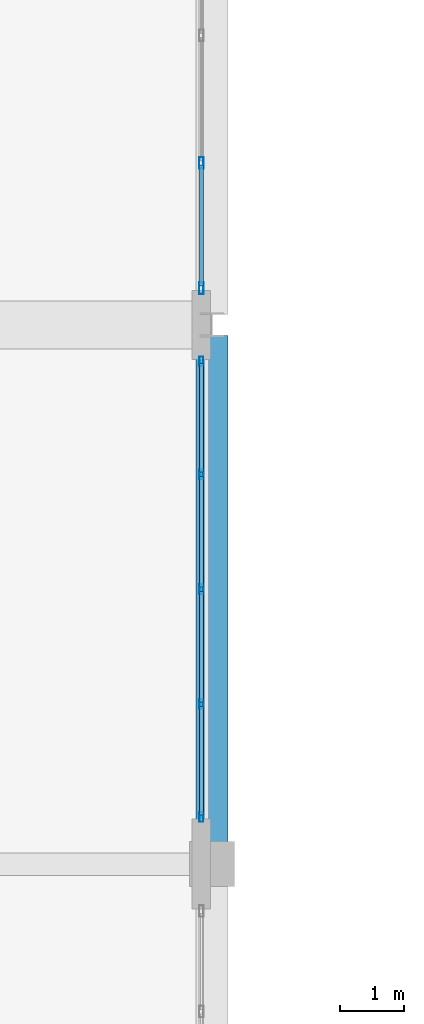
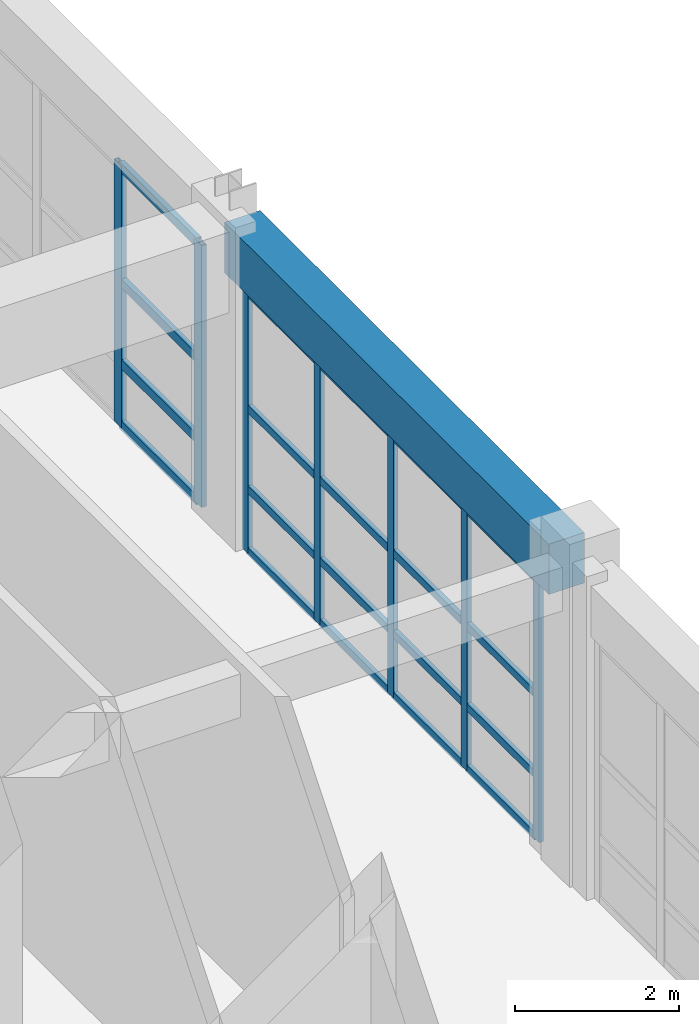
# One storey, part 23 of 78: 27 members, 1 beam, 2 elements without a shape of their own.
"""IFC4 building model written with IfcOpenShell, lengths in metres."""

import ifcopenshell
import ifcopenshell.guid

model = None  # the IFC model being written
_history = None  # IfcOwnerHistory: only IFC2X3 demands one
_inside = {}  # id of a spatial element -> (the spatial element, [elements in it])
_under = {}  # id of a project, library or spatial element -> (it, [spatial elements below it])
_declared = {}  # id of a project -> (the project, [libraries it declares])
_typed = {}  # id of a type object -> (the type object, [elements of that type])
_made_of = {}  # id of a material, layer set ... -> (it, [elements and type objects made of it])


def new_model(schema):
    """Start an empty IFC model of exactly this schema.

    Asked for "IFC4X3", IfcOpenShell would pick the latest addendum, in which some entities
    have other attributes; the version numbers below select the first issue.
    IFC2X3 requires an IfcOwnerHistory on every rooted entity: one is made here for all.
    """
    global model, _history
    if schema == "IFC4X3":
        model = ifcopenshell.file(schema_version=(4, 3, 0, 0))
    else:
        model = ifcopenshell.file(schema=schema)
    _inside.clear()
    _under.clear()
    _declared.clear()
    _typed.clear()
    _made_of.clear()
    _history = None
    if model.schema == "IFC2X3":
        org = make("IfcOrganization", Name="unknown")
        user = make(
            "IfcPersonAndOrganization",
            ThePerson=make("IfcPerson", FamilyName="unknown"),
            TheOrganization=org,
        )
        app = make(
            "IfcApplication",
            ApplicationDeveloper=org,
            Version="unknown",
            ApplicationFullName="unknown",
            ApplicationIdentifier="unknown",
        )
        _history = make(
            "IfcOwnerHistory",
            OwningUser=user,
            OwningApplication=app,
            ChangeAction="ADDED",
            CreationDate=0,
        )
    return model


def make(cls, **values):
    """One entity of the class cls with the attributes given. An attribute that is None is left unset."""
    return model.create_entity(
        cls, **{name: value for name, value in values.items() if value is not None}
    )


def rooted(cls, **values):
    """An entity with a GlobalId (a new one), such as an element, a storey or a relation."""
    return make(cls, GlobalId=ifcopenshell.guid.new(), OwnerHistory=_history, **values)


def si_unit(unit_type, name, prefix=None):
    """IfcSIUnit, for example si_unit("LENGTHUNIT", "METRE", prefix="MILLI")."""
    return make("IfcSIUnit", UnitType=unit_type, Prefix=prefix, Name=name)


def assignment(units):
    """IfcUnitAssignment: the units of a project."""
    return None if units is None else make("IfcUnitAssignment", Units=units)


def point(xyz):
    """IfcCartesianPoint."""
    return None if xyz is None else make("IfcCartesianPoint", Coordinates=xyz)


def direction(xyz):
    """IfcDirection."""
    return None if xyz is None else make("IfcDirection", DirectionRatios=xyz)


def frame(location, z_axis=None, x_axis=None):
    """IfcAxis2Placement3D, a coordinate frame: its origin and axes. An axis left out is left unset."""
    return make(
        "IfcAxis2Placement3D",
        Location=point(location),
        Axis=direction(z_axis),
        RefDirection=direction(x_axis),
    )


def frame_2d(location, x_axis=None):
    """IfcAxis2Placement2D, a coordinate frame in the plane: its origin and x axis."""
    return make(
        "IfcAxis2Placement2D", Location=point(location), RefDirection=direction(x_axis)
    )


def origin():
    """The frame at (0, 0, 0) with its axes left unset."""
    return frame((0.0, 0.0, 0.0))


def origin_2d():
    """The frame at (0, 0) in the plane with its x axis left unset."""
    return frame_2d((0.0, 0.0))


def place(relative_to, where):
    """IfcLocalPlacement: puts the frame where relative to a parent placement (None: the world)."""
    return make(
        "IfcLocalPlacement", PlacementRelTo=relative_to, RelativePlacement=where
    )


def context(
    kind, dimensions, precision=None, world=None, true_north=None, identifier=None
):
    """IfcGeometricRepresentationContext, for example the 3D "Model" context."""
    return make(
        "IfcGeometricRepresentationContext",
        ContextIdentifier=identifier,
        ContextType=kind,
        CoordinateSpaceDimension=dimensions,
        Precision=precision,
        WorldCoordinateSystem=world,
        TrueNorth=true_north,
    )


def subcontext(parent, identifier, kind, view, scale=None):
    """IfcGeometricRepresentationSubContext, for example "Body" below "Model"."""
    return make(
        "IfcGeometricRepresentationSubContext",
        ContextIdentifier=identifier,
        ContextType=kind,
        ParentContext=parent,
        TargetScale=scale,
        TargetView=view,
    )


def project(units=None, contexts=None):
    """IfcProject with its units and contexts."""
    return rooted(
        "IfcProject",
        Name="project",
        RepresentationContexts=contexts,
        UnitsInContext=assignment(units),
    )


def spatial(cls, under=None, at=None, **own):
    """A site, building, storey or space (cls), placed at a placement, below another one or the project."""
    s = rooted(cls, ObjectPlacement=at, **own)
    if under is not None:
        _under.setdefault(under.id(), (under, []))[1].append(s)
    return s


def profile(cls, at=None, kind="AREA", **sizes):
    """A parametric profile (cls). Its sizes go by their IFC names, for example OverallWidth=200.0."""
    return make(cls, ProfileType=kind, Position=at, **sizes)


def rectangle(**sizes):
    """IfcRectangleProfileDef."""
    return profile("IfcRectangleProfileDef", **sizes)


def hollow_rectangle(**sizes):
    """IfcRectangleHollowProfileDef."""
    return profile("IfcRectangleHollowProfileDef", **sizes)


def extrude(swept, where, along, depth):
    """IfcExtrudedAreaSolid: the profile swept, set in the frame where, extruded along a direction by depth."""
    return make(
        "IfcExtrudedAreaSolid",
        SweptArea=swept,
        Position=where,
        ExtrudedDirection=direction(along),
        Depth=depth,
    )


def shape(context_of_items, identifier, shape_type, items):
    """IfcShapeRepresentation: the items that make up one representation, for example the "Body"."""
    return make(
        "IfcShapeRepresentation",
        ContextOfItems=context_of_items,
        RepresentationIdentifier=identifier,
        RepresentationType=shape_type,
        Items=items,
    )


def material(Name=None, Category=None):
    """IfcMaterial."""
    return make("IfcMaterial", Name=Name, Category=Category)


def layer(
    of_material, thickness, ventilated=None, Name=None, Category=None, Priority=None
):
    """IfcMaterialLayer: one layer of a wall or slab, of a material (None: an air gap)."""
    return make(
        "IfcMaterialLayer",
        Material=of_material,
        LayerThickness=thickness,
        IsVentilated=ventilated,
        Name=Name,
        Category=Category,
        Priority=Priority,
    )


def layer_set(layers, Name=None):
    """IfcMaterialLayerSet."""
    return make("IfcMaterialLayerSet", MaterialLayers=layers, LayerSetName=Name)


def material_profile(
    of_material, cross_section, Name=None, Category=None, Priority=None
):
    """IfcMaterialProfile: a cross section and its material."""
    return make(
        "IfcMaterialProfile",
        Name=Name,
        Material=of_material,
        Profile=cross_section,
        Priority=Priority,
        Category=Category,
    )


def profile_set(profiles, Name=None, composite=None):
    """IfcMaterialProfileSet."""
    return make(
        "IfcMaterialProfileSet",
        Name=Name,
        MaterialProfiles=profiles,
        CompositeProfile=composite,
    )


def made_of(thing, what):
    """Note that an element or type object is made of a material, layer set ...; save() writes the relation."""
    if what is not None:
        _made_of.setdefault(what.id(), (what, []))[1].append(thing)
    return thing


def type_object(cls, material=None, **own):
    """A type object (cls), such as IfcWallType, which elements share."""
    return made_of(rooted(cls, **own), material)


def element(
    cls,
    number,
    at=None,
    inside=None,
    cuts=None,
    type_object=None,
    material=None,
    context=None,
    identifier="Body",
    shape_type=None,
    held_by="IfcProductDefinitionShape",
    body=None,
    shapes=None,
    **own,
):
    """One element of the class cls, such as IfcWall. Its Tag is "e" and its number.

    at: its placement. inside: the storey or other place that contains it. cuts: it is an
    opening in that element (IfcRelVoidsElement). A single representation is given by context,
    identifier, shape_type and body (its items); several are given by shapes. held_by: the class
    of the entity that holds the representations. save() writes the other relations.
    """
    e = rooted(cls, Tag="e%d" % number, ObjectPlacement=at, **own)
    if body is not None:
        shapes = [shape(context, identifier, shape_type, body)]
    if shapes is not None:
        e.Representation = make(held_by, Representations=shapes)
    if inside is not None:
        _inside.setdefault(inside.id(), (inside, []))[1].append(e)
    if cuts is not None:
        rooted(
            "IfcRelVoidsElement", RelatingBuildingElement=cuts, RelatedOpeningElement=e
        )
    if type_object is not None:
        _typed.setdefault(type_object.id(), (type_object, []))[1].append(e)
    return made_of(e, material)


def aggregate(whole, parts):
    """IfcRelAggregates: a whole, such as a stair, and the parts it consists of."""
    return rooted("IfcRelAggregates", RelatingObject=whole, RelatedObjects=parts)


def save(model, path):
    """Write the relations noted so far, then the file.

    IfcRelAggregates (storeys below a building ...), IfcRelContainedInSpatialStructure (elements
    in a storey), IfcRelDefinesByType, IfcRelAssociatesMaterial and IfcRelDeclares: one each for
    every whole, place, type object, material and project.
    """
    for whole, parts in _under.values():
        aggregate(whole, parts)
    for where, things in _inside.values():
        rooted(
            "IfcRelContainedInSpatialStructure",
            RelatedElements=things,
            RelatingStructure=where,
        )
    for kind, things in _typed.values():
        rooted("IfcRelDefinesByType", RelatedObjects=things, RelatingType=kind)
    for what, things in _made_of.values():
        rooted("IfcRelAssociatesMaterial", RelatedObjects=things, RelatingMaterial=what)
    for by, libraries in _declared.values():
        rooted("IfcRelDeclares", RelatingContext=by, RelatedDefinitions=libraries)
    model.write(path)


model = new_model("IFC4")

# Units and contexts
model_context = context("Model", 3, precision=1e-05, world=origin(), true_north=direction((0.0, 1.0)))
body_context = subcontext(model_context, "Body", "Model", "MODEL_VIEW")
ifc_project = project(units=[si_unit("LENGTHUNIT", "METRE"), si_unit("AREAUNIT", "SQUARE_METRE"), si_unit("VOLUMEUNIT", "CUBIC_METRE"), si_unit("PLANEANGLEUNIT", "RADIAN"), si_unit("MASSUNIT", "GRAM", prefix="KILO")], contexts=[model_context])

# Site, building, storey
site_placement = place(None, origin())
site = spatial("IfcSite", under=ifc_project, at=site_placement, CompositionType="ELEMENT")
building_placement = place(site_placement, origin())
building = spatial("IfcBuilding", under=site, at=building_placement, Name="Quendrovan Civic Courthouse", CompositionType="ELEMENT")
storey_placement = place(building_placement, frame((0.0, 0.0, 10.199951171875)))
storey = spatial("IfcBuildingStorey", under=building, at=storey_placement, Name="L03", CompositionType="ELEMENT", Elevation=10.199951171875)

# Beam
ifc_material_1 = material(Name="Concrete C40/50", Category="concrete")
ifc_material_profile_1 = material_profile(ifc_material_1, rectangle(XDim=0.5, YDim=0.75, at=origin_2d()), Name="RC-BM-500x750")
ifc_profile_set_1 = profile_set([ifc_material_profile_1], Name="Concrete C40/50")
beam_type = type_object("IfcBeamType", Name="BM-RC750", PredefinedType="SPANDREL", material=ifc_profile_set_1)
beam_placement = place(storey_placement, frame((16.800048828125, 65.1298828125, 4.28515625), z_axis=(0.0, 1.0, 0.0), x_axis=(-1.0, 0.0, 0.0)))
element("IfcBeam", 1, at=beam_placement, inside=storey, type_object=beam_type, Name="L03 Girder Y0816", PredefinedType="SPANDREL", context=body_context, shape_type="SweptSolid", body=[
    extrude(rectangle(XDim=0.5, YDim=0.75, at=origin_2d()), origin(), (0.0, 0.0, 1.0), 7.904052734375),
])

# Curtain wall, members
ifc_material_2 = material(Name="Bronze anodised aluminium and low-E glass", Category="aluminium")
ifc_layer_1 = layer(ifc_material_2, 0.179931640625, Name="Bronze anodised aluminium and low-E glass")
ifc_layer_set_1 = layer_set([ifc_layer_1], Name="Bronze anodised aluminium and low-E glass")
curtain_wall_type_1 = type_object("IfcCurtainWallType", Name="CW-U60x39", PredefinedType="USERDEFINED", material=ifc_layer_set_1)
curtain_wall_1_placement = place(storey_placement, origin())
curtain_wall_1 = element("IfcCurtainWall", 2, at=curtain_wall_1_placement, inside=storey, type_object=curtain_wall_type_1, Name="L03 Unitised Hurricane Curtain Wall CW-120", ObjectType="UNITISED CURTAIN WALL", PredefinedType="USERDEFINED")
ifc_material_3 = material(Name="Bronze anodised aluminium", Category="aluminium")
ifc_material_profile_2 = material_profile(ifc_material_3, hollow_rectangle(XDim=0.070068359375, YDim=0.179931640625, WallThickness=0.00390625, at=origin_2d()), Name="CW-MULL-70x180")
ifc_profile_set_2 = profile_set([ifc_material_profile_2], Name="Bronze anodised aluminium")
member_type_1 = type_object("IfcMemberType", Name="CW-MULL-A", PredefinedType="MULLION", material=ifc_profile_set_2)
member_1_placement = place(storey_placement, frame((16.635009765625, 75.724609375, 0.0), z_axis=(0.0, 0.0, 1.0), x_axis=(1.0, 0.0, 0.0)))
member_1 = element("IfcMember", 3, at=member_1_placement, type_object=member_type_1, Name="CW-120 mullion 3", PredefinedType="MULLION", context=body_context, shape_type="SweptSolid", body=[
    extrude(hollow_rectangle(XDim=0.070068359375, YDim=0.179931640625, WallThickness=0.00390625, at=origin_2d()), origin(), (0.0, 0.0, 1.0), 3.900146484375),
])
member_2_placement = place(storey_placement, frame((16.635009765625, 73.77197265625, 0.0), z_axis=(0.0, 0.0, 1.0), x_axis=(1.0, 0.0, 0.0)))
member_2 = element("IfcMember", 4, at=member_2_placement, type_object=member_type_1, Name="CW-120 mullion 4", PredefinedType="MULLION", context=body_context, shape_type="SweptSolid", body=[
    extrude(hollow_rectangle(XDim=0.070068359375, YDim=0.179931640625, WallThickness=0.00390625, at=origin_2d()), origin(), (0.0, 0.0, 1.0), 3.900146484375),
])

ifc_layer_2 = layer(ifc_material_2, 0.179931640625, Name="Bronze anodised aluminium and low-E glass")
ifc_layer_set_2 = layer_set([ifc_layer_2], Name="Bronze anodised aluminium and low-E glass")
curtain_wall_type_2 = type_object("IfcCurtainWallType", Name="CW-U72x39", PredefinedType="USERDEFINED", material=ifc_layer_set_2)
curtain_wall_2_placement = place(storey_placement, origin())
curtain_wall_2 = element("IfcCurtainWall", 5, at=curtain_wall_2_placement, inside=storey, type_object=curtain_wall_type_2, Name="L03 Unitised Hurricane Curtain Wall CW-121", ObjectType="UNITISED CURTAIN WALL", PredefinedType="USERDEFINED")
ifc_material_profile_3 = material_profile(ifc_material_3, hollow_rectangle(XDim=0.06494140625, YDim=0.14990234375, WallThickness=0.00390625, at=origin_2d()), Name="CW-MULL-65x150")
ifc_profile_set_3 = profile_set([ifc_material_profile_3], Name="Bronze anodised aluminium")
member_type_2 = type_object("IfcMemberType", Name="CW-MULL-B", PredefinedType="MULLION", material=ifc_profile_set_3)
member_3_placement = place(storey_placement, frame((16.635009765625, 72.630615234375, 0.0), z_axis=(0.0, 0.0, 1.0), x_axis=(1.0, 0.0, 0.0)))
member_3 = element("IfcMember", 6, at=member_3_placement, type_object=member_type_2, Name="CW-121 mullion 1", PredefinedType="MULLION", context=body_context, shape_type="SweptSolid", body=[
    extrude(hollow_rectangle(XDim=0.06494140625, YDim=0.14990234375, WallThickness=0.00390625, at=origin_2d()), origin(), (0.0, 0.0, 1.0), 3.900146484375),
])
member_4_placement = place(storey_placement, frame((16.635009765625, 70.872314453125, 0.0), z_axis=(0.0, 0.0, 1.0), x_axis=(1.0, 0.0, 0.0)))
member_4 = element("IfcMember", 7, at=member_4_placement, type_object=member_type_2, Name="CW-121 mullion 2", PredefinedType="MULLION", context=body_context, shape_type="SweptSolid", body=[
    extrude(hollow_rectangle(XDim=0.06494140625, YDim=0.14990234375, WallThickness=0.00390625, at=origin_2d()), origin(), (0.0, 0.0, 1.0), 3.900146484375),
])
member_5_placement = place(storey_placement, frame((16.635009765625, 69.08154296875, 0.0), z_axis=(0.0, 0.0, 1.0), x_axis=(1.0, 0.0, 0.0)))
member_5 = element("IfcMember", 8, at=member_5_placement, type_object=member_type_2, Name="CW-121 mullion 3", PredefinedType="MULLION", context=body_context, shape_type="SweptSolid", body=[
    extrude(hollow_rectangle(XDim=0.06494140625, YDim=0.14990234375, WallThickness=0.00390625, at=origin_2d()), origin(), (0.0, 0.0, 1.0), 3.900146484375),
])
member_6_placement = place(storey_placement, frame((16.635009765625, 67.290771484375, 0.0), z_axis=(0.0, 0.0, 1.0), x_axis=(1.0, 0.0, 0.0)))
member_6 = element("IfcMember", 9, at=member_6_placement, type_object=member_type_2, Name="CW-121 mullion 4", PredefinedType="MULLION", context=body_context, shape_type="SweptSolid", body=[
    extrude(hollow_rectangle(XDim=0.06494140625, YDim=0.14990234375, WallThickness=0.00390625, at=origin_2d()), origin(), (0.0, 0.0, 1.0), 3.900146484375),
])
member_7_placement = place(storey_placement, frame((16.635009765625, 65.532470703125, 0.0), z_axis=(0.0, 0.0, 1.0), x_axis=(1.0, 0.0, 0.0)))
member_7 = element("IfcMember", 10, at=member_7_placement, type_object=member_type_2, Name="CW-121 mullion 5", PredefinedType="MULLION", context=body_context, shape_type="SweptSolid", body=[
    extrude(hollow_rectangle(XDim=0.06494140625, YDim=0.14990234375, WallThickness=0.00390625, at=origin_2d()), origin(), (0.0, 0.0, 1.0), 3.900146484375),
])

# Member
ifc_material_profile_4 = material_profile(ifc_material_3, hollow_rectangle(XDim=0.070068359375, YDim=0.139892578125, WallThickness=0.00390625, at=origin_2d()), Name="CW-TRAN-70x140")
ifc_profile_set_4 = profile_set([ifc_material_profile_4], Name="Bronze anodised aluminium")
member_type_3 = type_object("IfcMemberType", Name="CW-TRAN-A", PredefinedType="USERDEFINED", material=ifc_profile_set_4)
member_8_placement = place(storey_placement, frame((16.635009765625, 75.689697265625, 0.03515625), z_axis=(0.0, -1.0, 0.0), x_axis=(1.0, 0.0, 0.0)))
member_8 = element("IfcMember", 11, at=member_8_placement, type_object=member_type_3, Name="CW-120 transom 3.1", ObjectType="TRANSOM", PredefinedType="USERDEFINED", context=body_context, shape_type="SweptSolid", body=[
    extrude(hollow_rectangle(XDim=0.070068359375, YDim=0.139892578125, WallThickness=0.00390625, at=origin_2d()), origin(), (0.0, 0.0, 1.0), 1.8828125),
])

member_9_placement = place(storey_placement, frame((16.635009765625, 75.689697265625, 0.949951171875), z_axis=(0.0, -1.0, 0.0), x_axis=(1.0, 0.0, 0.0)))
member_9 = element("IfcMember", 12, at=member_9_placement, type_object=member_type_3, Name="CW-120 transom 3.2", ObjectType="TRANSOM", PredefinedType="USERDEFINED", context=body_context, shape_type="SweptSolid", body=[
    extrude(hollow_rectangle(XDim=0.070068359375, YDim=0.139892578125, WallThickness=0.00390625, at=origin_2d()), origin(), (0.0, 0.0, 1.0), 1.8828125),
])

member_10_placement = place(storey_placement, frame((16.635009765625, 75.689697265625, 2.150146484375), z_axis=(0.0, -1.0, 0.0), x_axis=(1.0, 0.0, 0.0)))
member_10 = element("IfcMember", 13, at=member_10_placement, type_object=member_type_3, Name="CW-120 transom 3.3", ObjectType="TRANSOM", PredefinedType="USERDEFINED", context=body_context, shape_type="SweptSolid", body=[
    extrude(hollow_rectangle(XDim=0.070068359375, YDim=0.139892578125, WallThickness=0.00390625, at=origin_2d()), origin(), (0.0, 0.0, 1.0), 1.8828125),
])

member_11_placement = place(storey_placement, frame((16.635009765625, 75.689697265625, 3.864990234375), z_axis=(0.0, -1.0, 0.0), x_axis=(1.0, 0.0, 0.0)))
member_11 = element("IfcMember", 14, at=member_11_placement, type_object=member_type_3, Name="CW-120 transom 3.4", ObjectType="TRANSOM", PredefinedType="USERDEFINED", context=body_context, shape_type="SweptSolid", body=[
    extrude(hollow_rectangle(XDim=0.070068359375, YDim=0.139892578125, WallThickness=0.00390625, at=origin_2d()), origin(), (0.0, 0.0, 1.0), 1.8828125),
])

aggregate(curtain_wall_1, [member_1, member_2, member_8, member_9, member_10, member_11])

ifc_material_profile_5 = material_profile(ifc_material_3, hollow_rectangle(XDim=0.06494140625, YDim=0.114990234375, WallThickness=0.00390625, at=origin_2d()), Name="CW-TRAN-65x115")
ifc_profile_set_5 = profile_set([ifc_material_profile_5], Name="Bronze anodised aluminium")
member_type_4 = type_object("IfcMemberType", Name="CW-TRAN-B", PredefinedType="USERDEFINED", material=ifc_profile_set_5)
member_12_placement = place(storey_placement, frame((16.635009765625, 72.597900390625, 0.032470703125), z_axis=(0.0, -1.0, 0.0), x_axis=(1.0, 0.0, 0.0)))
member_12 = element("IfcMember", 15, at=member_12_placement, type_object=member_type_4, Name="CW-121 transom 1.1", ObjectType="TRANSOM", PredefinedType="USERDEFINED", context=body_context, shape_type="SweptSolid", body=[
    extrude(hollow_rectangle(XDim=0.06494140625, YDim=0.114990234375, WallThickness=0.00390625, at=origin_2d()), origin(), (0.0, 0.0, 1.0), 1.693115234375),
])

member_13_placement = place(storey_placement, frame((16.635009765625, 72.597900390625, 0.949951171875), z_axis=(0.0, -1.0, 0.0), x_axis=(1.0, 0.0, 0.0)))
member_13 = element("IfcMember", 16, at=member_13_placement, type_object=member_type_4, Name="CW-121 transom 1.2", ObjectType="TRANSOM", PredefinedType="USERDEFINED", context=body_context, shape_type="SweptSolid", body=[
    extrude(hollow_rectangle(XDim=0.06494140625, YDim=0.114990234375, WallThickness=0.00390625, at=origin_2d()), origin(), (0.0, 0.0, 1.0), 1.693115234375),
])

member_14_placement = place(storey_placement, frame((16.635009765625, 72.597900390625, 2.150146484375), z_axis=(0.0, -1.0, 0.0), x_axis=(1.0, 0.0, 0.0)))
member_14 = element("IfcMember", 17, at=member_14_placement, type_object=member_type_4, Name="CW-121 transom 1.3", ObjectType="TRANSOM", PredefinedType="USERDEFINED", context=body_context, shape_type="SweptSolid", body=[
    extrude(hollow_rectangle(XDim=0.06494140625, YDim=0.114990234375, WallThickness=0.00390625, at=origin_2d()), origin(), (0.0, 0.0, 1.0), 1.693115234375),
])

member_15_placement = place(storey_placement, frame((16.635009765625, 72.597900390625, 3.867431640625), z_axis=(0.0, -1.0, 0.0), x_axis=(1.0, 0.0, 0.0)))
member_15 = element("IfcMember", 18, at=member_15_placement, type_object=member_type_4, Name="CW-121 transom 1.4", ObjectType="TRANSOM", PredefinedType="USERDEFINED", context=body_context, shape_type="SweptSolid", body=[
    extrude(hollow_rectangle(XDim=0.06494140625, YDim=0.114990234375, WallThickness=0.00390625, at=origin_2d()), origin(), (0.0, 0.0, 1.0), 1.693115234375),
])

member_16_placement = place(storey_placement, frame((16.635009765625, 70.83984375, 0.032470703125), z_axis=(0.0, -1.0, 0.0), x_axis=(1.0, 0.0, 0.0)))
member_16 = element("IfcMember", 19, at=member_16_placement, type_object=member_type_4, Name="CW-121 transom 2.1", ObjectType="TRANSOM", PredefinedType="USERDEFINED", context=body_context, shape_type="SweptSolid", body=[
    extrude(hollow_rectangle(XDim=0.06494140625, YDim=0.114990234375, WallThickness=0.00390625, at=origin_2d()), origin(), (0.0, 0.0, 1.0), 1.725830078125),
])

member_17_placement = place(storey_placement, frame((16.635009765625, 70.83984375, 0.949951171875), z_axis=(0.0, -1.0, 0.0), x_axis=(1.0, 0.0, 0.0)))
member_17 = element("IfcMember", 20, at=member_17_placement, type_object=member_type_4, Name="CW-121 transom 2.2", ObjectType="TRANSOM", PredefinedType="USERDEFINED", context=body_context, shape_type="SweptSolid", body=[
    extrude(hollow_rectangle(XDim=0.06494140625, YDim=0.114990234375, WallThickness=0.00390625, at=origin_2d()), origin(), (0.0, 0.0, 1.0), 1.725830078125),
])

member_18_placement = place(storey_placement, frame((16.635009765625, 70.83984375, 2.150146484375), z_axis=(0.0, -1.0, 0.0), x_axis=(1.0, 0.0, 0.0)))
member_18 = element("IfcMember", 21, at=member_18_placement, type_object=member_type_4, Name="CW-121 transom 2.3", ObjectType="TRANSOM", PredefinedType="USERDEFINED", context=body_context, shape_type="SweptSolid", body=[
    extrude(hollow_rectangle(XDim=0.06494140625, YDim=0.114990234375, WallThickness=0.00390625, at=origin_2d()), origin(), (0.0, 0.0, 1.0), 1.725830078125),
])

member_19_placement = place(storey_placement, frame((16.635009765625, 70.83984375, 3.867431640625), z_axis=(0.0, -1.0, 0.0), x_axis=(1.0, 0.0, 0.0)))
member_19 = element("IfcMember", 22, at=member_19_placement, type_object=member_type_4, Name="CW-121 transom 2.4", ObjectType="TRANSOM", PredefinedType="USERDEFINED", context=body_context, shape_type="SweptSolid", body=[
    extrude(hollow_rectangle(XDim=0.06494140625, YDim=0.114990234375, WallThickness=0.00390625, at=origin_2d()), origin(), (0.0, 0.0, 1.0), 1.725830078125),
])

member_20_placement = place(storey_placement, frame((16.635009765625, 69.049072265625, 0.032470703125), z_axis=(0.0, -1.0, 0.0), x_axis=(1.0, 0.0, 0.0)))
member_20 = element("IfcMember", 23, at=member_20_placement, type_object=member_type_4, Name="CW-121 transom 3.1", ObjectType="TRANSOM", PredefinedType="USERDEFINED", context=body_context, shape_type="SweptSolid", body=[
    extrude(hollow_rectangle(XDim=0.06494140625, YDim=0.114990234375, WallThickness=0.00390625, at=origin_2d()), origin(), (0.0, 0.0, 1.0), 1.725830078125),
])

member_21_placement = place(storey_placement, frame((16.635009765625, 69.049072265625, 0.949951171875), z_axis=(0.0, -1.0, 0.0), x_axis=(1.0, 0.0, 0.0)))
member_21 = element("IfcMember", 24, at=member_21_placement, type_object=member_type_4, Name="CW-121 transom 3.2", ObjectType="TRANSOM", PredefinedType="USERDEFINED", context=body_context, shape_type="SweptSolid", body=[
    extrude(hollow_rectangle(XDim=0.06494140625, YDim=0.114990234375, WallThickness=0.00390625, at=origin_2d()), origin(), (0.0, 0.0, 1.0), 1.725830078125),
])

member_22_placement = place(storey_placement, frame((16.635009765625, 69.049072265625, 2.150146484375), z_axis=(0.0, -1.0, 0.0), x_axis=(1.0, 0.0, 0.0)))
member_22 = element("IfcMember", 25, at=member_22_placement, type_object=member_type_4, Name="CW-121 transom 3.3", ObjectType="TRANSOM", PredefinedType="USERDEFINED", context=body_context, shape_type="SweptSolid", body=[
    extrude(hollow_rectangle(XDim=0.06494140625, YDim=0.114990234375, WallThickness=0.00390625, at=origin_2d()), origin(), (0.0, 0.0, 1.0), 1.725830078125),
])

member_23_placement = place(storey_placement, frame((16.635009765625, 69.049072265625, 3.867431640625), z_axis=(0.0, -1.0, 0.0), x_axis=(1.0, 0.0, 0.0)))
member_23 = element("IfcMember", 26, at=member_23_placement, type_object=member_type_4, Name="CW-121 transom 3.4", ObjectType="TRANSOM", PredefinedType="USERDEFINED", context=body_context, shape_type="SweptSolid", body=[
    extrude(hollow_rectangle(XDim=0.06494140625, YDim=0.114990234375, WallThickness=0.00390625, at=origin_2d()), origin(), (0.0, 0.0, 1.0), 1.725830078125),
])

member_24_placement = place(storey_placement, frame((16.635009765625, 67.25830078125, 0.032470703125), z_axis=(0.0, -1.0, 0.0), x_axis=(1.0, 0.0, 0.0)))
member_24 = element("IfcMember", 27, at=member_24_placement, type_object=member_type_4, Name="CW-121 transom 4.1", ObjectType="TRANSOM", PredefinedType="USERDEFINED", context=body_context, shape_type="SweptSolid", body=[
    extrude(hollow_rectangle(XDim=0.06494140625, YDim=0.114990234375, WallThickness=0.00390625, at=origin_2d()), origin(), (0.0, 0.0, 1.0), 1.693359375),
])

member_25_placement = place(storey_placement, frame((16.635009765625, 67.25830078125, 0.949951171875), z_axis=(0.0, -1.0, 0.0), x_axis=(1.0, 0.0, 0.0)))
member_25 = element("IfcMember", 28, at=member_25_placement, type_object=member_type_4, Name="CW-121 transom 4.2", ObjectType="TRANSOM", PredefinedType="USERDEFINED", context=body_context, shape_type="SweptSolid", body=[
    extrude(hollow_rectangle(XDim=0.06494140625, YDim=0.114990234375, WallThickness=0.00390625, at=origin_2d()), origin(), (0.0, 0.0, 1.0), 1.693359375),
])

member_26_placement = place(storey_placement, frame((16.635009765625, 67.25830078125, 2.150146484375), z_axis=(0.0, -1.0, 0.0), x_axis=(1.0, 0.0, 0.0)))
member_26 = element("IfcMember", 29, at=member_26_placement, type_object=member_type_4, Name="CW-121 transom 4.3", ObjectType="TRANSOM", PredefinedType="USERDEFINED", context=body_context, shape_type="SweptSolid", body=[
    extrude(hollow_rectangle(XDim=0.06494140625, YDim=0.114990234375, WallThickness=0.00390625, at=origin_2d()), origin(), (0.0, 0.0, 1.0), 1.693359375),
])

member_27_placement = place(storey_placement, frame((16.635009765625, 67.25830078125, 3.867431640625), z_axis=(0.0, -1.0, 0.0), x_axis=(1.0, 0.0, 0.0)))
member_27 = element("IfcMember", 30, at=member_27_placement, type_object=member_type_4, Name="CW-121 transom 4.4", ObjectType="TRANSOM", PredefinedType="USERDEFINED", context=body_context, shape_type="SweptSolid", body=[
    extrude(hollow_rectangle(XDim=0.06494140625, YDim=0.114990234375, WallThickness=0.00390625, at=origin_2d()), origin(), (0.0, 0.0, 1.0), 1.693359375),
])

aggregate(curtain_wall_2, [member_3, member_4, member_5, member_6, member_7, member_12, member_13, member_14, member_15, member_16, member_17, member_18, member_19, member_20, member_21, member_22, member_23, member_24, member_25, member_26, member_27])

save(model, "model.ifc")
